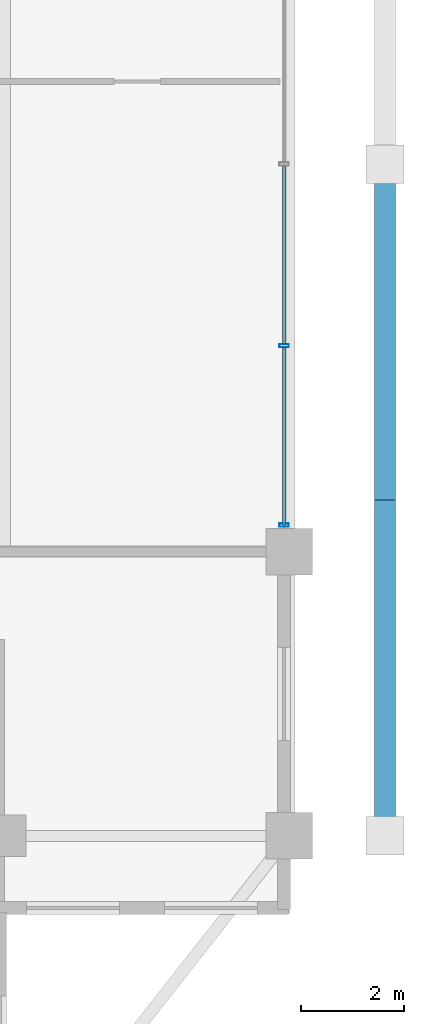
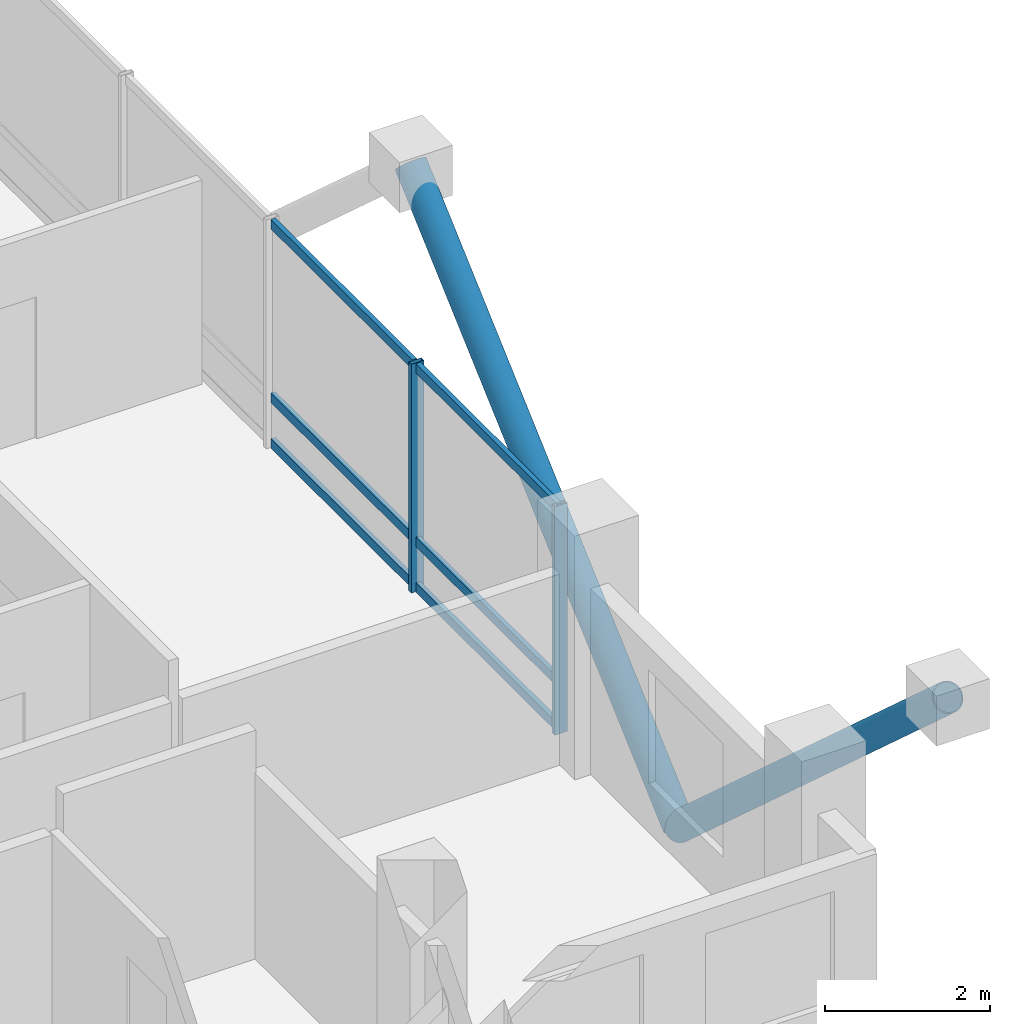
# One storey, part 11 of 24: 10 members, 1 element without a shape of its own.
"""IFC4 building model written with IfcOpenShell, lengths in metres."""

from ifc_helpers import new_model, si_unit, direction, frame, origin, origin_2d, place, context, subcontext, project, spatial, hollow_rectangle, hollow_circle, extrude, material, layer, layer_set, material_profile, profile_set, type_object, element, aggregate, save


model = new_model("IFC4")

# Units and contexts
model_context = context("Model", 3, precision=1e-05, world=origin(), true_north=direction((0.0, 1.0)))
body_context = subcontext(model_context, "Body", "Model", "MODEL_VIEW")
ifc_project = project(units=[si_unit("LENGTHUNIT", "METRE"), si_unit("AREAUNIT", "SQUARE_METRE"), si_unit("VOLUMEUNIT", "CUBIC_METRE"), si_unit("PLANEANGLEUNIT", "RADIAN"), si_unit("MASSUNIT", "GRAM", prefix="KILO")], contexts=[model_context])

# Site, building, storey
site_placement = place(None, origin())
site = spatial("IfcSite", under=ifc_project, at=site_placement, CompositionType="ELEMENT")
building_placement = place(site_placement, origin())
building = spatial("IfcBuilding", under=site, at=building_placement, Name="Barlavira Tower and Art Museum", CompositionType="ELEMENT")
storey_placement = place(building_placement, frame((0.0, 0.0, 225.89990234375)))
storey = spatial("IfcBuildingStorey", under=building, at=storey_placement, Name="L58", CompositionType="ELEMENT", Elevation=225.89990234375)

# Curtain wall, members
ifc_material_1 = material(Name="Low-iron coastal laminated glass", Category="glass")
ifc_layer = layer(ifc_material_1, 0.2099609375, Name="Low-iron coastal laminated glass")
ifc_layer_set = layer_set([ifc_layer], Name="Low-iron coastal laminated glass")
curtain_wall_type = type_object("IfcCurtainWallType", Name="Pale-Metal Unitised Curtain Wall Zone 4", PredefinedType="NOTDEFINED", material=ifc_layer_set)
curtain_wall_placement = place(storey_placement, origin())
curtain_wall = element("IfcCurtainWall", 1, at=curtain_wall_placement, inside=storey, type_object=curtain_wall_type, Name="L58 Curtain Wall CW4-L58-E-B3", PredefinedType="NOTDEFINED")
ifc_material_2 = material(Name="Pale anodised aluminium", Category="aluminium")
ifc_material_profile_1 = material_profile(ifc_material_2, hollow_rectangle(XDim=0.06494140625, YDim=0.179931640625, WallThickness=0.00390625, at=origin_2d()), Name="ALU-MULL 65x180x4")
ifc_profile_set_1 = profile_set([ifc_material_profile_1], Name="Pale anodised aluminium")
member_type_1 = type_object("IfcMemberType", Name="Curtain Wall Pale-Metal Mullion 65x180", PredefinedType="MULLION", material=ifc_profile_set_1)
member_1_placement = place(storey_placement, frame((16.89990234375, -6.985107421875, 0.0), z_axis=(0.0, 0.0, 1.0), x_axis=(0.0, 1.0, 0.0)))
member_1 = element("IfcMember", 2, at=member_1_placement, type_object=member_type_1, Name="CW4-L58-E-B3 Mullion 0", PredefinedType="MULLION", context=body_context, shape_type="SweptSolid", body=[
    extrude(hollow_rectangle(XDim=0.06494140625, YDim=0.179931640625, WallThickness=0.00390625, at=origin_2d()), origin(), (0.0, 0.0, 1.0), 3.380126953125),
])
member_2_placement = place(storey_placement, frame((16.89990234375, -3.514892578125, 0.0), z_axis=(0.0, 0.0, 1.0), x_axis=(0.0, 1.0, 0.0)))
member_2 = element("IfcMember", 3, at=member_2_placement, type_object=member_type_1, Name="CW4-L58-E-B3 Mullion 1", PredefinedType="MULLION", context=body_context, shape_type="SweptSolid", body=[
    extrude(hollow_rectangle(XDim=0.06494140625, YDim=0.179931640625, WallThickness=0.00390625, at=origin_2d()), origin(), (0.0, 0.0, 1.0), 3.380126953125),
])
ifc_material_profile_2 = material_profile(ifc_material_2, hollow_rectangle(XDim=0.06494140625, YDim=0.139892578125, WallThickness=0.00390625, at=origin_2d()), Name="ALU-TRAN 65x140x4")
ifc_profile_set_2 = profile_set([ifc_material_profile_2], Name="Pale anodised aluminium")
member_type_2 = type_object("IfcMemberType", Name="Curtain Wall Pale-Metal Transom 65x140", PredefinedType="USERDEFINED", material=ifc_profile_set_2)
member_3_placement = place(storey_placement, frame((16.89990234375, -6.985107421875, 0.070068359375), z_axis=(0.0, 1.0, 0.0), x_axis=(-1.0, 0.0, 0.0)))
member_3 = element("IfcMember", 4, at=member_3_placement, type_object=member_type_2, Name="CW4-L58-E-B3 Transom 0.1", ObjectType="TRANSOM", PredefinedType="USERDEFINED", context=body_context, shape_type="SweptSolid", body=[
    extrude(hollow_rectangle(XDim=0.06494140625, YDim=0.139892578125, WallThickness=0.00390625, at=origin_2d()), origin(), (0.0, 0.0, 1.0), 3.425048828125),
])
member_4_placement = place(storey_placement, frame((16.89990234375, -6.985107421875, 0.744140625), z_axis=(0.0, 1.0, 0.0), x_axis=(-1.0, 0.0, 0.0)))
member_4 = element("IfcMember", 5, at=member_4_placement, type_object=member_type_2, Name="CW4-L58-E-B3 Transom 0.2", ObjectType="TRANSOM", PredefinedType="USERDEFINED", context=body_context, shape_type="SweptSolid", body=[
    extrude(hollow_rectangle(XDim=0.06494140625, YDim=0.139892578125, WallThickness=0.00390625, at=origin_2d()), origin(), (0.0, 0.0, 1.0), 3.425048828125),
])
member_5_placement = place(storey_placement, frame((16.89990234375, -6.985107421875, 3.31005859375), z_axis=(0.0, 1.0, 0.0), x_axis=(-1.0, 0.0, 0.0)))
member_5 = element("IfcMember", 6, at=member_5_placement, type_object=member_type_2, Name="CW4-L58-E-B3 Transom 0.3", ObjectType="TRANSOM", PredefinedType="USERDEFINED", context=body_context, shape_type="SweptSolid", body=[
    extrude(hollow_rectangle(XDim=0.06494140625, YDim=0.139892578125, WallThickness=0.00390625, at=origin_2d()), origin(), (0.0, 0.0, 1.0), 3.425048828125),
])
member_6_placement = place(storey_placement, frame((16.89990234375, -3.469970703125, 0.070068359375), z_axis=(0.0, 1.0, 0.0), x_axis=(-1.0, 0.0, 0.0)))
member_6 = element("IfcMember", 7, at=member_6_placement, type_object=member_type_2, Name="CW4-L58-E-B3 Transom 1.1", ObjectType="TRANSOM", PredefinedType="USERDEFINED", context=body_context, shape_type="SweptSolid", body=[
    extrude(hollow_rectangle(XDim=0.06494140625, YDim=0.139892578125, WallThickness=0.00390625, at=origin_2d()), origin(), (0.0, 0.0, 1.0), 3.425048828125),
])
member_7_placement = place(storey_placement, frame((16.89990234375, -3.469970703125, 0.744140625), z_axis=(0.0, 1.0, 0.0), x_axis=(-1.0, 0.0, 0.0)))
member_7 = element("IfcMember", 8, at=member_7_placement, type_object=member_type_2, Name="CW4-L58-E-B3 Transom 1.2", ObjectType="TRANSOM", PredefinedType="USERDEFINED", context=body_context, shape_type="SweptSolid", body=[
    extrude(hollow_rectangle(XDim=0.06494140625, YDim=0.139892578125, WallThickness=0.00390625, at=origin_2d()), origin(), (0.0, 0.0, 1.0), 3.425048828125),
])
member_8_placement = place(storey_placement, frame((16.89990234375, -3.469970703125, 3.31005859375), z_axis=(0.0, 1.0, 0.0), x_axis=(-1.0, 0.0, 0.0)))
member_8 = element("IfcMember", 9, at=member_8_placement, type_object=member_type_2, Name="CW4-L58-E-B3 Transom 1.3", ObjectType="TRANSOM", PredefinedType="USERDEFINED", context=body_context, shape_type="SweptSolid", body=[
    extrude(hollow_rectangle(XDim=0.06494140625, YDim=0.139892578125, WallThickness=0.00390625, at=origin_2d()), origin(), (0.0, 0.0, 1.0), 3.425048828125),
])
aggregate(curtain_wall, [member_1, member_2, member_3, member_4, member_5, member_6, member_7, member_8])

# Members
ifc_material_3 = material(Name="Steel S355", Category="steel")
ifc_material_profile_3 = material_profile(ifc_material_3, hollow_circle(Radius=0.203125, WallThickness=0.01611328125, at=origin_2d()), Name="CHS 406.4x16.0")
ifc_profile_set_3 = profile_set([ifc_material_profile_3], Name="Steel S355")
member_type_3 = type_object("IfcMemberType", Name="Pale-Metal Exoskeleton Diagrid Tube CHS 406x16 Steel S355", PredefinedType="BRACE", material=ifc_profile_set_3)
for number, where, z_axis, x_axis, name in (
    (10, (18.85009765625, -6.5, -2.369873046875), (0.0, -0.74330247547, 0.668955476815), (1.0, 0.0, 0.0), "L58 Exoskeleton Diagrid Tube E"),
    (11, (18.85009765625, -6.5, -2.369873046875), (0.0, 0.74330247547, 0.668955476815), (-1.0, 0.0, 0.0), "L58 Exoskeleton Diagrid Tube E"),
):
    element("IfcMember", number, at=place(storey_placement, frame(where, z_axis=z_axis, x_axis=x_axis)), inside=storey, type_object=member_type_3, Name=name, PredefinedType="BRACE", context=body_context, shape_type="SweptSolid", body=[
        extrude(hollow_circle(Radius=0.203125, WallThickness=0.01611328125, at=origin_2d()), origin(), (0.0, 0.0, 1.0), 8.744873046875),
    ])

save(model, "model.ifc")
